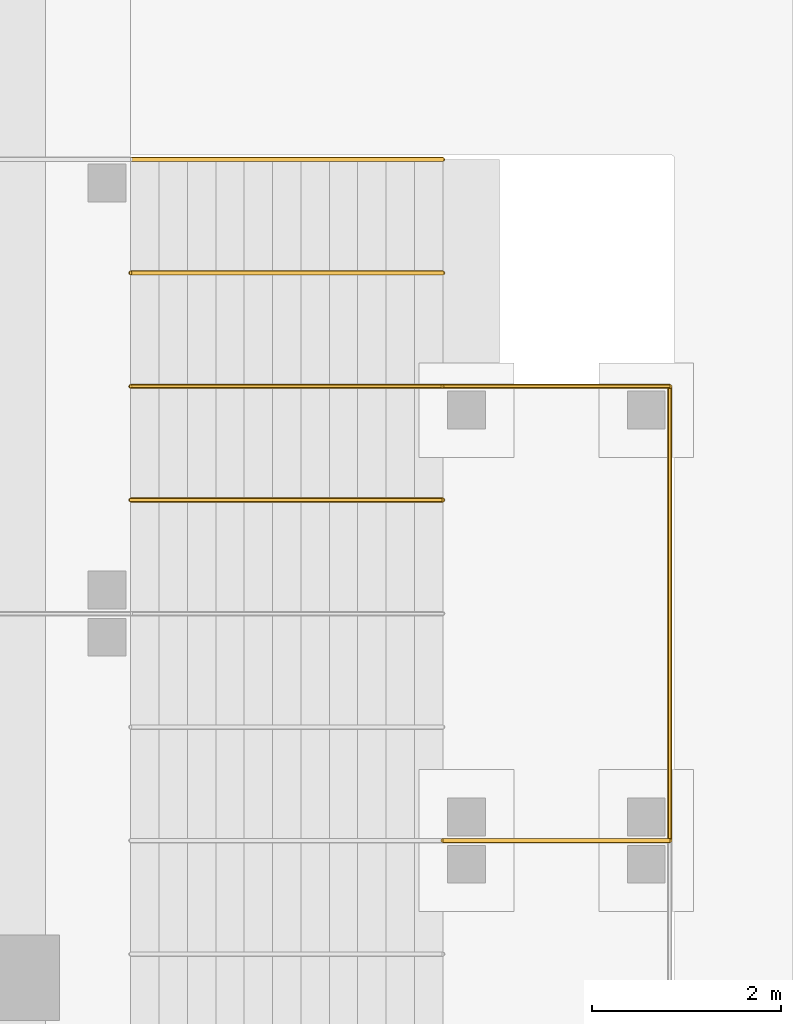
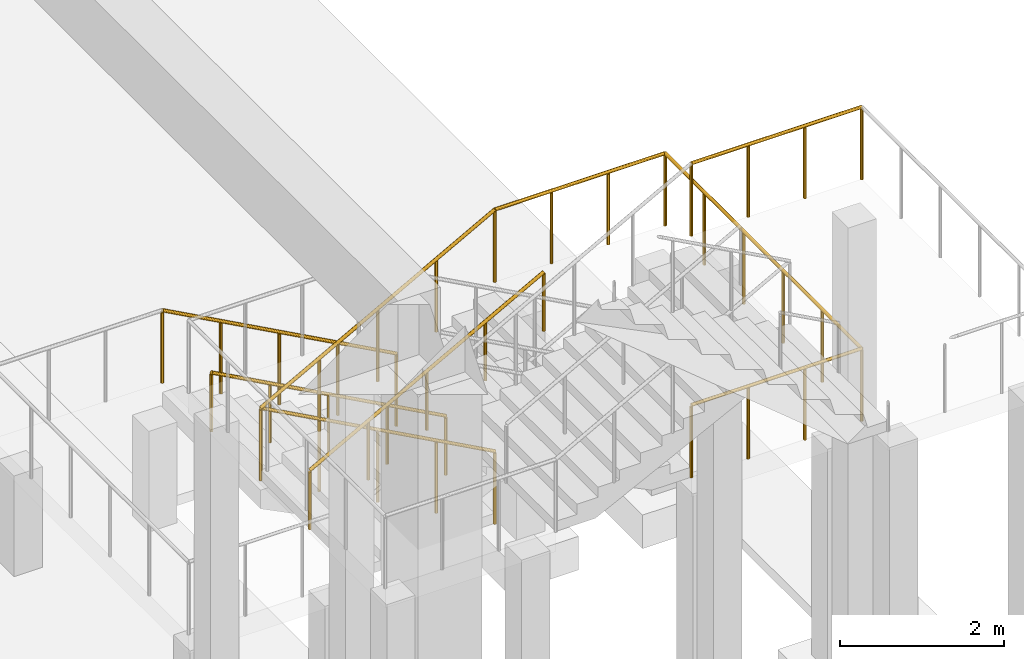
# One storey, part 36 of 43: 9 railings.
"""IFC4 building model written with IfcOpenShell, lengths in metres."""

from ifc_helpers import new_model, si_unit, direction, frame, origin, origin_2d, place, context, subcontext, project, spatial, circle, extrude, material, type_object, element, save


model = new_model("IFC4")

# Units and contexts
model_context = context("Model", 3, precision=1e-05, world=origin(), true_north=direction((0.0, 1.0)))
body_context = subcontext(model_context, "Body", "Model", "MODEL_VIEW")
ifc_project = project(units=[si_unit("LENGTHUNIT", "METRE"), si_unit("AREAUNIT", "SQUARE_METRE"), si_unit("VOLUMEUNIT", "CUBIC_METRE"), si_unit("PLANEANGLEUNIT", "RADIAN"), si_unit("MASSUNIT", "GRAM", prefix="KILO")], contexts=[model_context])

# Site, building, storey
site_placement = place(None, origin())
site = spatial("IfcSite", under=ifc_project, at=site_placement, CompositionType="ELEMENT")
building_placement = place(site_placement, origin())
building = spatial("IfcBuilding", under=site, at=building_placement, Name="Kilnfold Tower and Market Hall", CompositionType="ELEMENT")
storey_placement = place(building_placement, origin())
storey = spatial("IfcBuildingStorey", under=building, at=storey_placement, Name="L00", CompositionType="ELEMENT", Elevation=0.0)

# Railings
ifc_material_1 = material(Name="Stainless steel 316", Category="steel")
railing_type_1 = type_object("IfcRailingType", Name="DECK GUARD 1100", PredefinedType="GUARDRAIL", material=ifc_material_1)
railing_1_placement = place(storey_placement, frame((55.85009765625, -0.39990234375, 1.800048828125)))
element("IfcRailing", 1, at=railing_1_placement, inside=storey, type_object=railing_type_1, Name="Garden stair GS-E2 guard 7", PredefinedType="GUARDRAIL", context=body_context, shape_type="SweptSolid", body=[
    extrude(circle(Radius=0.02392578125, at=origin_2d()), frame((0.0, 0.0, 1.076171875), z_axis=(0.8778781969, 0.0, 0.478883985332), x_axis=(0.0, 1.0, 0.0)), (0.0, 0.0, 1.0), 3.7587890625),
    extrude(circle(Radius=0.02099609375, at=origin_2d()), origin(), (0.0, 0.0, 1.0), 1.052001953125),
    extrude(circle(Radius=0.02099609375, at=origin_2d()), frame((0.824951171875, 0.0, 0.449951171875)), (0.0, 0.0, 1.0), 1.052001953125),
    extrude(circle(Radius=0.02099609375, at=origin_2d()), frame((1.64990234375, 0.0, 0.89990234375)), (0.0, 0.0, 1.0), 1.052001953125),
    extrude(circle(Radius=0.02099609375, at=origin_2d()), frame((2.474853515625, 0.0, 1.35009765625)), (0.0, 0.0, 1.0), 1.052001953125),
    extrude(circle(Radius=0.02099609375, at=origin_2d()), frame((3.2998046875, 0.0, 1.800048828125)), (0.0, 0.0, 1.0), 1.052001953125),
])
railing_2_placement = place(storey_placement, frame((55.85009765625, 2.0, 1.800048828125)))
element("IfcRailing", 2, at=railing_2_placement, inside=storey, type_object=railing_type_1, Name="Garden stair GS-E2 guard 9", PredefinedType="GUARDRAIL", context=body_context, shape_type="SweptSolid", body=[
    extrude(circle(Radius=0.02392578125, at=origin_2d()), frame((0.0, 0.0, 1.076171875), z_axis=(0.8778781969, 0.0, -0.478883985332), x_axis=(0.0, 1.0, 0.0)), (0.0, 0.0, 1.0), 3.7587890625),
    extrude(circle(Radius=0.02099609375, at=origin_2d()), origin(), (0.0, 0.0, 1.0), 1.052001953125),
    extrude(circle(Radius=0.02099609375, at=origin_2d()), frame((0.824951171875, 0.0, -0.449951171875)), (0.0, 0.0, 1.0), 1.052001953125),
    extrude(circle(Radius=0.02099609375, at=origin_2d()), frame((1.64990234375, 0.0, -0.89990234375)), (0.0, 0.0, 1.0), 1.052001953125),
    extrude(circle(Radius=0.02099609375, at=origin_2d()), frame((2.474853515625, 0.0, -1.35009765625)), (0.0, 0.0, 1.0), 1.052001953125),
    extrude(circle(Radius=0.02099609375, at=origin_2d()), frame((3.2998046875, 0.0, -1.800048828125)), (0.0, 0.0, 1.0), 1.052001953125),
])
railing_3_placement = place(storey_placement, frame((59.14990234375, -0.39990234375, 0.0)))
element("IfcRailing", 3, at=railing_3_placement, inside=storey, type_object=railing_type_1, Name="Garden stair GS-E2 guard 10", PredefinedType="GUARDRAIL", context=body_context, shape_type="SweptSolid", body=[
    extrude(circle(Radius=0.02392578125, at=origin_2d()), frame((0.0, 0.0, 1.076171875), z_axis=(-0.8778781969, 0.0, 0.478883985332), x_axis=(0.0, -1.0, 0.0)), (0.0, 0.0, 1.0), 3.7587890625),
    extrude(circle(Radius=0.02099609375, at=origin_2d()), origin(), (0.0, 0.0, 1.0), 1.052001953125),
    extrude(circle(Radius=0.02099609375, at=origin_2d()), frame((-0.824951171875, 0.0, 0.449951171875)), (0.0, 0.0, 1.0), 1.052001953125),
    extrude(circle(Radius=0.02099609375, at=origin_2d()), frame((-1.64990234375, 0.0, 0.89990234375)), (0.0, 0.0, 1.0), 1.052001953125),
    extrude(circle(Radius=0.02099609375, at=origin_2d()), frame((-2.474853515625, 0.0, 1.35009765625)), (0.0, 0.0, 1.0), 1.052001953125),
    extrude(circle(Radius=0.02099609375, at=origin_2d()), frame((-3.2998046875, 0.0, 1.800048828125)), (0.0, 0.0, 1.0), 1.052001953125),
])
for number, where, name in (
    (4, (59.14990234375, -5.199951171875, 7.199951171875), "Garden stair GS-E2 guard 11"),
    (5, (59.14990234375, -0.39990234375, 3.60009765625), "Garden stair GS-E2 guard 17"),
):
    element("IfcRailing", number, at=place(storey_placement, frame(where)), inside=storey, type_object=railing_type_1, Name=name, PredefinedType="GUARDRAIL", context=body_context, shape_type="SweptSolid", body=[
        extrude(circle(Radius=0.02392578125, at=origin_2d()), frame((0.0, 0.0, 1.076171875), z_axis=(1.0, 0.0, 0.0), x_axis=(0.0, 1.0, 0.0)), (0.0, 0.0, 1.0), 2.400146484375),
        extrude(circle(Radius=0.02099609375, at=origin_2d()), origin(), (0.0, 0.0, 1.0), 1.052001953125),
        extrude(circle(Radius=0.02099609375, at=origin_2d()), frame((0.800048828125, 0.0, 0.0)), (0.0, 0.0, 1.0), 1.052001953125),
        extrude(circle(Radius=0.02099609375, at=origin_2d()), frame((1.60009765625, 0.0, 0.0)), (0.0, 0.0, 1.0), 1.052001953125),
        extrude(circle(Radius=0.02099609375, at=origin_2d()), frame((2.400146484375, 0.0, 0.0)), (0.0, 0.0, 1.0), 1.052001953125),
    ])
railing_4_placement = place(storey_placement, frame((61.550048828125, -0.39990234375, 3.60009765625)))
element("IfcRailing", 6, at=railing_4_placement, inside=storey, type_object=railing_type_1, Name="Garden stair GS-E2 guard 18", PredefinedType="GUARDRAIL", context=body_context, shape_type="SweptSolid", body=[
    extrude(circle(Radius=0.02392578125, at=origin_2d()), frame((0.0, 0.0, 1.076171875), z_axis=(0.0, -1.0, 0.0), x_axis=(1.0, 0.0, 0.0)), (0.0, 0.0, 1.0), 4.800048828125),
    extrude(circle(Radius=0.02099609375, at=origin_2d()), origin(), (0.0, 0.0, 1.0), 1.052001953125),
    extrude(circle(Radius=0.02099609375, at=origin_2d()), frame((0.0, -0.9599609375, 0.0)), (0.0, 0.0, 1.0), 1.052001953125),
    extrude(circle(Radius=0.02099609375, at=origin_2d()), frame((0.0, -1.919921875, 0.0)), (0.0, 0.0, 1.0), 1.052001953125),
    extrude(circle(Radius=0.02099609375, at=origin_2d()), frame((0.0, -2.880126953125, 0.0)), (0.0, 0.0, 1.0), 1.052001953125),
    extrude(circle(Radius=0.02099609375, at=origin_2d()), frame((0.0, -3.840087890625, 0.0)), (0.0, 0.0, 1.0), 1.052001953125),
    extrude(circle(Radius=0.02099609375, at=origin_2d()), frame((0.0, -4.800048828125, 0.0)), (0.0, 0.0, 1.0), 1.052001953125),
])
railing_5_placement = place(storey_placement, frame((61.550048828125, -5.199951171875, 3.60009765625)))
element("IfcRailing", 7, at=railing_5_placement, inside=storey, type_object=railing_type_1, Name="Garden stair GS-E2 guard 19", PredefinedType="GUARDRAIL", context=body_context, shape_type="SweptSolid", body=[
    extrude(circle(Radius=0.02392578125, at=origin_2d()), frame((0.0, 0.0, 1.076171875), z_axis=(-1.0, 0.0, 0.0), x_axis=(0.0, -1.0, 0.0)), (0.0, 0.0, 1.0), 2.400146484375),
    extrude(circle(Radius=0.02099609375, at=origin_2d()), origin(), (0.0, 0.0, 1.0), 1.052001953125),
    extrude(circle(Radius=0.02099609375, at=origin_2d()), frame((-0.800048828125, 0.0, 0.0)), (0.0, 0.0, 1.0), 1.052001953125),
    extrude(circle(Radius=0.02099609375, at=origin_2d()), frame((-1.60009765625, 0.0, 0.0)), (0.0, 0.0, 1.0), 1.052001953125),
    extrude(circle(Radius=0.02099609375, at=origin_2d()), frame((-2.400146484375, 0.0, 0.0)), (0.0, 0.0, 1.0), 1.052001953125),
])
ifc_material_2 = material(Name="Stainless steel 316", Category="steel")
railing_type_2 = type_object("IfcRailingType", Name="GARDEN STAIR HANDRAIL 900", PredefinedType="HANDRAIL", material=ifc_material_2)
railing_6_placement = place(storey_placement, frame((55.85009765625, -1.60009765625, 1.800048828125)))
element("IfcRailing", 8, at=railing_6_placement, inside=storey, type_object=railing_type_2, Name="Garden stair GS-E2 handrail 7", PredefinedType="HANDRAIL", context=body_context, shape_type="SweptSolid", body=[
    extrude(circle(Radius=0.02392578125, at=origin_2d()), frame((0.0, 0.0, 0.8759765625), z_axis=(0.8778781969, 0.0, 0.478883985332), x_axis=(0.0, 1.0, 0.0)), (0.0, 0.0, 1.0), 3.7587890625),
    extrude(circle(Radius=0.02099609375, at=origin_2d()), origin(), (0.0, 0.0, 1.0), 0.851806640625),
    extrude(circle(Radius=0.02099609375, at=origin_2d()), frame((0.824951171875, 0.0, 0.449951171875)), (0.0, 0.0, 1.0), 0.851806640625),
    extrude(circle(Radius=0.02099609375, at=origin_2d()), frame((1.64990234375, 0.0, 0.89990234375)), (0.0, 0.0, 1.0), 0.851806640625),
    extrude(circle(Radius=0.02099609375, at=origin_2d()), frame((2.474853515625, 0.0, 1.35009765625)), (0.0, 0.0, 1.0), 0.851806640625),
    extrude(circle(Radius=0.02099609375, at=origin_2d()), frame((3.2998046875, 0.0, 1.800048828125)), (0.0, 0.0, 1.0), 0.851806640625),
])
railing_7_placement = place(storey_placement, frame((55.85009765625, 0.800048828125, 1.800048828125)))
element("IfcRailing", 9, at=railing_7_placement, inside=storey, type_object=railing_type_2, Name="Garden stair GS-E2 handrail 9", PredefinedType="HANDRAIL", context=body_context, shape_type="SweptSolid", body=[
    extrude(circle(Radius=0.02392578125, at=origin_2d()), frame((0.0, 0.0, 0.8759765625), z_axis=(0.8778781969, 0.0, -0.478883985332), x_axis=(0.0, 1.0, 0.0)), (0.0, 0.0, 1.0), 3.7587890625),
    extrude(circle(Radius=0.02099609375, at=origin_2d()), origin(), (0.0, 0.0, 1.0), 0.851806640625),
    extrude(circle(Radius=0.02099609375, at=origin_2d()), frame((0.824951171875, 0.0, -0.449951171875)), (0.0, 0.0, 1.0), 0.851806640625),
    extrude(circle(Radius=0.02099609375, at=origin_2d()), frame((1.64990234375, 0.0, -0.89990234375)), (0.0, 0.0, 1.0), 0.851806640625),
    extrude(circle(Radius=0.02099609375, at=origin_2d()), frame((2.474853515625, 0.0, -1.35009765625)), (0.0, 0.0, 1.0), 0.851806640625),
    extrude(circle(Radius=0.02099609375, at=origin_2d()), frame((3.2998046875, 0.0, -1.800048828125)), (0.0, 0.0, 1.0), 0.851806640625),
])

save(model, "model.ifc")
